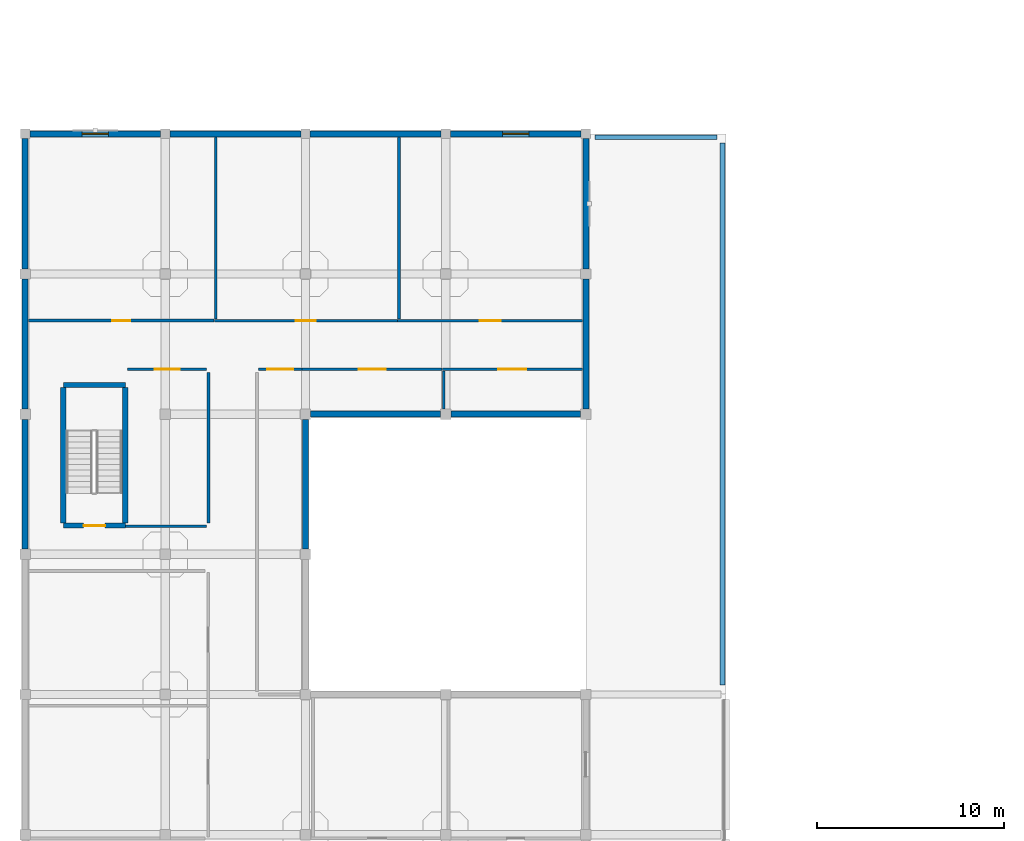
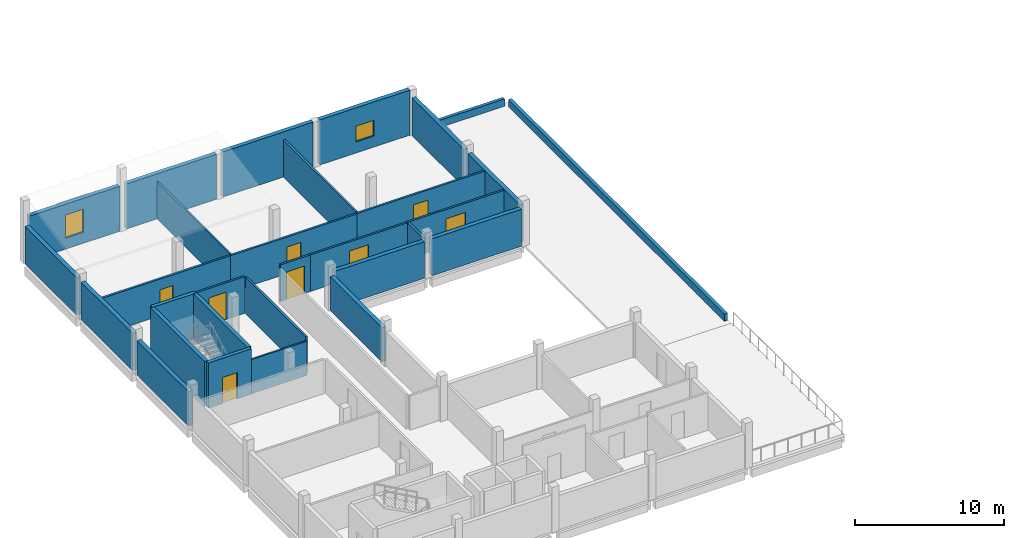
# One storey, part 5 of 14: 30 walls, 8 doors, 2 windows, 10 openings.
"""IFC4 building model written with IfcOpenShell, lengths in metres."""

from ifc_helpers import new_model, si_unit, direction, frame, frame_2d, origin, place, context, subcontext, project, spatial, rectangle, extrude, material, layer, layer_set, type_object, element, fill, save


model = new_model("IFC4")

# Units and contexts
model_context = context("Model", 3, precision=1e-05, world=origin(), true_north=direction((0.0, 1.0)))
body_context = subcontext(model_context, "Body", "Model", "MODEL_VIEW")
ifc_project = project(units=[si_unit("LENGTHUNIT", "METRE"), si_unit("AREAUNIT", "SQUARE_METRE"), si_unit("VOLUMEUNIT", "CUBIC_METRE"), si_unit("PLANEANGLEUNIT", "RADIAN"), si_unit("MASSUNIT", "GRAM", prefix="KILO")], contexts=[model_context])

# Site, building, storey
site_placement = place(None, origin())
site = spatial("IfcSite", under=ifc_project, at=site_placement, CompositionType="ELEMENT")
building_placement = place(site_placement, origin())
building = spatial("IfcBuilding", under=site, at=building_placement, Name="Mawjan Specialist Oncology Clinic", CompositionType="ELEMENT")
storey_placement = place(building_placement, frame((0.0, 0.0, 17.5)))
storey = spatial("IfcBuildingStorey", under=building, at=storey_placement, Name="L04", CompositionType="ELEMENT", Elevation=17.5)

# Walls
ifc_material_1 = material(Name="Precast concrete C40/50", Category="concrete")
ifc_layer_1 = layer(ifc_material_1, 0.320068359375, Name="Precast concrete C40/50", Category="concrete")
ifc_layer_set_1 = layer_set([ifc_layer_1], Name="Precast concrete C40/50")
wall_type_1 = type_object("IfcWallType", Name="EW-320", PredefinedType="SOLIDWALL", material=ifc_layer_set_1)
wall_1_placement = place(storey_placement, frame((30.0, 45.550048828125, 0.0), z_axis=(0.0, 0.0, 1.0), x_axis=(0.0, -1.0, 0.0)))
element("IfcWall", 1, at=wall_1_placement, inside=storey, type_object=wall_type_1, Name="L04 Coral-Limestone Exterior Wall EW-L04-340", PredefinedType="SOLIDWALL", context=body_context, shape_type="SweptSolid", body=[
    extrude(rectangle(XDim=6.97509765625, YDim=0.320068359375, at=frame_2d((3.487548828125, 0.0))), origin(), (0.0, 0.0, 1.0), 3.0849609375),
])
wall_2_placement = place(storey_placement, frame((30.0, 38.02490234375, 0.0), z_axis=(0.0, 0.0, 1.0), x_axis=(0.0, -1.0, 0.0)))
element("IfcWall", 2, at=wall_2_placement, inside=storey, type_object=wall_type_1, Name="L04 Coral-Limestone Exterior Wall EW-L04-341", PredefinedType="SOLIDWALL", context=body_context, shape_type="SweptSolid", body=[
    extrude(rectangle(XDim=6.949951171875, YDim=0.320068359375, at=frame_2d((3.47509765625, 0.0))), origin(), (0.0, 0.0, 1.0), 3.0849609375),
])
wall_3_placement = place(storey_placement, frame((29.72509765625, 30.800048828125, 0.0), z_axis=(0.0, 0.0, 1.0), x_axis=(-1.0, 0.0, 0.0)))
element("IfcWall", 3, at=wall_3_placement, inside=storey, type_object=wall_type_1, Name="L04 Coral-Limestone Exterior Wall EW-L04-342", PredefinedType="SOLIDWALL", context=body_context, shape_type="SweptSolid", body=[
    extrude(rectangle(XDim=6.9501953125, YDim=0.320068359375, at=frame_2d((3.47509765625, 0.0))), origin(), (0.0, 0.0, 1.0), 3.034912109375),
])
wall_4_placement = place(storey_placement, frame((22.22509765625, 30.800048828125, 0.0), z_axis=(0.0, 0.0, 1.0), x_axis=(-1.0, 0.0, 0.0)))
element("IfcWall", 4, at=wall_4_placement, inside=storey, type_object=wall_type_1, Name="L04 Coral-Limestone Exterior Wall EW-L04-343", PredefinedType="SOLIDWALL", context=body_context, shape_type="SweptSolid", body=[
    extrude(rectangle(XDim=6.9501953125, YDim=0.320068359375, at=frame_2d((3.47509765625, 0.0))), origin(), (0.0, 0.0, 1.0), 3.0048828125),
])
for number, where, z_axis, x_axis, name in (
    (5, (15.0, 30.52490234375, 0.0), (0.0, 0.0, 1.0), (0.0, -1.0, 0.0), "L04 Coral-Limestone Exterior Wall EW-L04-344"),
    (6, (0.0, 23.574951171875, 0.0), (0.0, 0.0, 1.0), (0.0, 1.0, 0.0), "L04 Coral-Limestone Exterior Wall EW-L04-357"),
):
    element("IfcWall", number, at=place(storey_placement, frame(where, z_axis=z_axis, x_axis=x_axis)), inside=storey, type_object=wall_type_1, Name=name, PredefinedType="SOLIDWALL", context=body_context, shape_type="SweptSolid", body=[
        extrude(rectangle(XDim=6.949951171875, YDim=0.320068359375, at=frame_2d((3.47509765625, 0.0))), origin(), (0.0, 0.0, 1.0), 2.804931640625),
    ])
wall_5_placement = place(storey_placement, frame((0.0, 31.074951171875, 0.0), z_axis=(0.0, 0.0, 1.0), x_axis=(0.0, 1.0, 0.0)))
element("IfcWall", 7, at=wall_5_placement, inside=storey, type_object=wall_type_1, Name="L04 Coral-Limestone Exterior Wall EW-L04-358", PredefinedType="SOLIDWALL", context=body_context, shape_type="SweptSolid", body=[
    extrude(rectangle(XDim=6.949951171875, YDim=0.320068359375, at=frame_2d((3.47509765625, 0.0))), origin(), (0.0, 0.0, 1.0), 3.054931640625),
])
wall_6_placement = place(storey_placement, frame((0.0, 38.574951171875, 0.0), z_axis=(0.0, 0.0, 1.0), x_axis=(0.0, 1.0, 0.0)))
element("IfcWall", 8, at=wall_6_placement, inside=storey, type_object=wall_type_1, Name="L04 Coral-Limestone Exterior Wall EW-L04-359", PredefinedType="SOLIDWALL", context=body_context, shape_type="SweptSolid", body=[
    extrude(rectangle(XDim=6.97509765625, YDim=0.320068359375, at=frame_2d((3.487548828125, 0.0))), origin(), (0.0, 0.0, 1.0), 3.054931640625),
])

# Wall, opening, window
wall_7_placement = place(storey_placement, frame((0.25, 45.800048828125, 0.0), z_axis=(0.0, 0.0, 1.0), x_axis=(1.0, 0.0, 0.0)))
wall_7 = element("IfcWall", 9, at=wall_7_placement, inside=storey, type_object=wall_type_1, Name="L04 Coral-Limestone Exterior Wall EW-L04-360", PredefinedType="SOLIDWALL", context=body_context, shape_type="SweptSolid", body=[
    extrude(rectangle(XDim=7.0, YDim=0.320068359375, at=frame_2d((3.5, 0.0))), origin(), (0.0, 0.0, 1.0), 3.68994140625),
])
opening_1_placement = place(wall_7_placement, frame((2.800048828125, 0.0, 0.89990234375)))
opening_1 = element("IfcOpeningElement", 10, at=opening_1_placement, cuts=wall_7, Name="Opening WN-16", PredefinedType="OPENING", context=body_context, shape_type="SweptSolid", body=[
    extrude(rectangle(XDim=1.39990234375, YDim=1.89990234375, at=frame_2d((0.699951171875, 0.949951171875))), frame((0.0, 0.172119140625, 0.0), z_axis=(0.0, -1.0, 0.0), x_axis=(1.0, 0.0, 0.0)), (0.0, 0.0, 1.0), 0.343994140625),
])
ifc_material_2 = material(Name="Thermally broken low-E clinical aluminium window", Category="aluminium")
window_type_1 = type_object("IfcWindowType", Name="WN-16", PartitioningType="SINGLE_PANEL", PredefinedType="WINDOW", material=ifc_material_2)
window_1_placement = place(opening_1_placement, origin())
window_1 = element("IfcWindow", 11, at=window_1_placement, inside=storey, type_object=window_type_1, Name="L04 Clinical Low-E Window 076", OverallHeight=1.89990234375, OverallWidth=1.39990234375, PartitioningType="SINGLE_PANEL", PredefinedType="WINDOW", context=body_context, shape_type="SweptSolid", body=[
    extrude(rectangle(XDim=1.39990234375, YDim=1.89990234375, at=frame_2d((0.699951171875, 0.949951171875))), frame((0.0, 0.030029296875, 0.0), z_axis=(0.0, -1.0, 0.0), x_axis=(1.0, 0.0, 0.0)), (0.0, 0.0, 1.0), 0.06005859375),
])
fill(opening_1, window_1)

# Walls
wall_8_placement = place(storey_placement, frame((7.75, 45.800048828125, 0.0), z_axis=(0.0, 0.0, 1.0), x_axis=(1.0, 0.0, 0.0)))
element("IfcWall", 12, at=wall_8_placement, inside=storey, type_object=wall_type_1, Name="L04 Coral-Limestone Exterior Wall EW-L04-361", PredefinedType="SOLIDWALL", context=body_context, shape_type="SweptSolid", body=[
    extrude(rectangle(XDim=7.0, YDim=0.320068359375, at=frame_2d((3.5, 0.0))), origin(), (0.0, 0.0, 1.0), 3.68994140625),
])
wall_9_placement = place(storey_placement, frame((15.25, 45.800048828125, 0.0), z_axis=(0.0, 0.0, 1.0), x_axis=(1.0, 0.0, 0.0)))
element("IfcWall", 13, at=wall_9_placement, inside=storey, type_object=wall_type_1, Name="L04 Coral-Limestone Exterior Wall EW-L04-362", PredefinedType="SOLIDWALL", context=body_context, shape_type="SweptSolid", body=[
    extrude(rectangle(XDim=7.0, YDim=0.320068359375, at=frame_2d((3.5, 0.0))), origin(), (0.0, 0.0, 1.0), 3.699951171875),
])

# Wall, opening, window
wall_10_placement = place(storey_placement, frame((22.75, 45.800048828125, 0.0), z_axis=(0.0, 0.0, 1.0), x_axis=(1.0, 0.0, 0.0)))
wall_10 = element("IfcWall", 14, at=wall_10_placement, inside=storey, type_object=wall_type_1, Name="L04 Coral-Limestone Exterior Wall EW-L04-363", PredefinedType="SOLIDWALL", context=body_context, shape_type="SweptSolid", body=[
    extrude(rectangle(XDim=7.0, YDim=0.320068359375, at=frame_2d((3.5, 0.0))), origin(), (0.0, 0.0, 1.0), 3.699951171875),
])
opening_2_placement = place(wall_10_placement, frame((2.800048828125, 0.0, 0.89990234375)))
opening_2 = element("IfcOpeningElement", 15, at=opening_2_placement, cuts=wall_10, Name="Opening WN-13", PredefinedType="OPENING", context=body_context, shape_type="SweptSolid", body=[
    extrude(rectangle(XDim=1.39990234375, YDim=1.300048828125, at=frame_2d((0.699951171875, 0.64990234375))), frame((0.0, 0.172119140625, 0.0), z_axis=(0.0, -1.0, 0.0), x_axis=(1.0, 0.0, 0.0)), (0.0, 0.0, 1.0), 0.343994140625),
])
ifc_material_3 = material(Name="Thermally broken low-E clinical aluminium window", Category="aluminium")
window_type_2 = type_object("IfcWindowType", Name="WN-13", PartitioningType="SINGLE_PANEL", PredefinedType="WINDOW", material=ifc_material_3)
window_2_placement = place(opening_2_placement, origin())
window_2 = element("IfcWindow", 16, at=window_2_placement, inside=storey, type_object=window_type_2, Name="L04 Clinical Low-E Window 077", OverallHeight=1.300048828125, OverallWidth=1.39990234375, PartitioningType="SINGLE_PANEL", PredefinedType="WINDOW", context=body_context, shape_type="SweptSolid", body=[
    extrude(rectangle(XDim=1.39990234375, YDim=1.300048828125, at=frame_2d((0.699951171875, 0.64990234375))), frame((0.0, 0.030029296875, 0.0), z_axis=(0.0, -1.0, 0.0), x_axis=(1.0, 0.0, 0.0)), (0.0, 0.0, 1.0), 0.06005859375),
])
fill(opening_2, window_2)

# Walls
ifc_material_4 = material(Name="Precast concrete C40/50", Category="concrete")
ifc_layer_2 = layer(ifc_material_4, 0.239990234375, Name="Precast concrete C40/50", Category="concrete")
ifc_layer_set_2 = layer_set([ifc_layer_2], Name="Precast concrete C40/50")
wall_type_2 = type_object("IfcWallType", Name="PAR-240", PredefinedType="PARAPET", material=ifc_layer_set_2)
wall_11_placement = place(storey_placement, frame((30.5, 45.6201171875, -0.080078125), z_axis=(0.0, 0.0, 1.0), x_axis=(1.0, 0.0, 0.0)))
element("IfcWall", 17, at=wall_11_placement, inside=storey, type_object=wall_type_2, Name="L04 Roof Parapet Upstand 24", PredefinedType="PARAPET", context=body_context, shape_type="SweptSolid", body=[
    extrude(rectangle(XDim=6.52001953125, YDim=0.239990234375, at=frame_2d((3.260009765625, 0.0))), origin(), (0.0, 0.0, 1.0), 0.60009765625),
])
ifc_material_5 = material(Name="Precast concrete C40/50", Category="concrete")
ifc_layer_3 = layer(ifc_material_5, 0.260009765625, Name="Precast concrete C40/50", Category="concrete")
ifc_layer_set_3 = layer_set([ifc_layer_3], Name="Precast concrete C40/50")
wall_type_3 = type_object("IfcWallType", Name="PAR-260", PredefinedType="PARAPET", material=ifc_layer_set_3)
wall_12_placement = place(storey_placement, frame((37.320068359375, 45.320068359375, -0.080078125), z_axis=(0.0, 0.0, 1.0), x_axis=(0.0, -1.0, 0.0)))
element("IfcWall", 18, at=wall_12_placement, inside=storey, type_object=wall_type_3, Name="L04 Roof Parapet Upstand 25", PredefinedType="PARAPET", context=body_context, shape_type="SweptSolid", body=[
    extrude(rectangle(XDim=29.02001953125, YDim=0.260009765625, at=frame_2d((14.510009765625, 0.0))), origin(), (0.0, 0.0, 1.0), 0.60009765625),
])
ifc_material_6 = material(Name="Concrete C45/55", Category="concrete")
ifc_layer_4 = layer(ifc_material_6, 0.280029296875, Name="Concrete C45/55", Category="concrete")
ifc_layer_set_4 = layer_set([ifc_layer_4], Name="Concrete C45/55")
wall_type_4 = type_object("IfcWallType", Name="SW-300", PredefinedType="SHEAR", material=ifc_layer_set_4)
wall_13_placement = place(storey_placement, frame((5.360107421875, 24.985107421875, 0.0), z_axis=(0.0, 0.0, 1.0), x_axis=(0.0, 1.0, 0.0)))
element("IfcWall", 19, at=wall_13_placement, inside=storey, type_object=wall_type_4, Name="L04 Core K2 Stair Shear Wall 1", PredefinedType="SHEAR", context=body_context, shape_type="SweptSolid", body=[
    extrude(rectangle(XDim=7.22998046875, YDim=0.280029296875, at=frame_2d((3.614990234375, 0.0))), origin(), (0.0, 0.0, 1.0), 3.719970703125),
])
wall_14_placement = place(storey_placement, frame((5.360107421875, 32.360107421875, 0.0), z_axis=(0.0, 0.0, 1.0), x_axis=(-1.0, 0.0, 0.0)))
element("IfcWall", 20, at=wall_14_placement, inside=storey, type_object=wall_type_4, Name="L04 Core K2 Stair Shear Wall 2", PredefinedType="SHEAR", context=body_context, shape_type="SweptSolid", body=[
    extrude(rectangle(XDim=3.320068359375, YDim=0.280029296875, at=frame_2d((1.66015625, 0.0))), origin(), (0.0, 0.0, 1.0), 3.719970703125),
])
wall_15_placement = place(storey_placement, frame((2.0400390625, 32.215087890625, 0.0), z_axis=(0.0, 0.0, 1.0), x_axis=(0.0, -1.0, 0.0)))
element("IfcWall", 21, at=wall_15_placement, inside=storey, type_object=wall_type_4, Name="L04 Core K2 Stair Shear Wall 3", PredefinedType="SHEAR", context=body_context, shape_type="SweptSolid", body=[
    extrude(rectangle(XDim=7.22998046875, YDim=0.280029296875, at=frame_2d((3.614990234375, 0.0))), origin(), (0.0, 0.0, 1.0), 3.719970703125),
])

# Wall, opening, door
wall_16_placement = place(storey_placement, frame((2.0400390625, 24.840087890625, 0.0), z_axis=(0.0, 0.0, 1.0), x_axis=(1.0, 0.0, 0.0)))
wall_16 = element("IfcWall", 22, at=wall_16_placement, inside=storey, type_object=wall_type_4, Name="L04 Core K2 Stair Shear Wall 4", PredefinedType="SHEAR", context=body_context, shape_type="SweptSolid", body=[
    extrude(rectangle(XDim=3.320068359375, YDim=0.280029296875, at=frame_2d((1.66015625, 0.0))), origin(), (0.0, 0.0, 1.0), 3.719970703125),
])
opening_3_placement = place(wall_16_placement, frame((1.0849609375, 0.0, 0.0)))
opening_3 = element("IfcOpeningElement", 23, at=opening_3_placement, cuts=wall_16, Name="Opening FD-90", PredefinedType="OPENING", context=body_context, shape_type="SweptSolid", body=[
    extrude(rectangle(XDim=1.14990234375, YDim=2.14990234375, at=frame_2d((0.574951171875, 1.074951171875))), frame((0.0, 0.152099609375, 0.0), z_axis=(0.0, -1.0, 0.0), x_axis=(1.0, 0.0, 0.0)), (0.0, 0.0, 1.0), 0.303955078125),
])
ifc_material_7 = material(Name="Stainless-steel fire-rated hospital door", Category="steel")
door_type_1 = type_object("IfcDoorType", Name="FD-90", OperationType="NOTDEFINED", PredefinedType="DOOR", material=ifc_material_7)
door_1_placement = place(opening_3_placement, origin())
door_1 = element("IfcDoor", 24, at=door_1_placement, inside=storey, type_object=door_type_1, Name="L04 ST-02 Fire Exit Stair Door", OperationType="SINGLE_SWING_LEFT", OverallHeight=2.14990234375, OverallWidth=1.14990234375, PredefinedType="DOOR", context=body_context, shape_type="SweptSolid", body=[
    extrude(rectangle(XDim=1.14990234375, YDim=2.14990234375, at=frame_2d((0.574951171875, 1.074951171875))), frame((0.0, 0.02490234375, 0.0), z_axis=(0.0, -1.0, 0.0), x_axis=(1.0, 0.0, 0.0)), (0.0, 0.0, 1.0), 0.050048828125),
])
fill(opening_3, door_1)

# Walls
ifc_material_8 = material(Name="Moisture-resistant washroom partition", Category="gypsum")
ifc_layer_5 = layer(ifc_material_8, 0.125, Name="Moisture-resistant washroom partition", Category="gypsum")
ifc_layer_set_5 = layer_set([ifc_layer_5], Name="Moisture-resistant washroom partition")
wall_type_5 = type_object("IfcWallType", Name="WP-125", PredefinedType="PARTITIONING", material=ifc_layer_set_5)
wall_17_placement = place(storey_placement, frame((5.3720703125, 24.800048828125, 0.0), z_axis=(0.0, 0.0, 1.0), x_axis=(1.0, 0.0, 0.0)))
element("IfcWall", 25, at=wall_17_placement, inside=storey, type_object=wall_type_5, Name="L04 Interior Partition W-INT-L04-0433-R", PredefinedType="PARTITIONING", context=body_context, shape_type="SweptSolid", body=[
    extrude(rectangle(XDim=4.343017578125, YDim=0.125, at=frame_2d((2.17138671875, 0.0))), origin(), (0.0, 0.0, 1.0), 2.804931640625),
])
wall_18_placement = place(storey_placement, frame((10.199951171875, 35.886962890625, 0.0), z_axis=(0.0, 0.0, 1.0), x_axis=(0.0, 1.0, 0.0)))
element("IfcWall", 26, at=wall_18_placement, inside=storey, type_object=wall_type_5, Name="L04 Interior Partition W-INT-L04-404-D", PredefinedType="PARTITIONING", context=body_context, shape_type="SweptSolid", body=[
    extrude(rectangle(XDim=9.740966796875, YDim=0.125, at=frame_2d((4.87060546875, 0.0))), origin(), (0.0, 0.0, 1.0), 3.054931640625),
])

# Wall, opening, door
ifc_material_9 = material(Name="Acoustic gypsum clinical partition", Category="gypsum")
ifc_layer_6 = layer(ifc_material_9, 0.14990234375, Name="Acoustic gypsum clinical partition", Category="gypsum")
ifc_layer_set_6 = layer_set([ifc_layer_6], Name="Acoustic gypsum clinical partition")
wall_type_6 = type_object("IfcWallType", Name="WP-150", PredefinedType="PARTITIONING", material=ifc_layer_set_6)
wall_19_placement = place(storey_placement, frame((10.126953125, 35.800048828125, 0.0), z_axis=(0.0, 0.0, 1.0), x_axis=(1.0, 0.0, 0.0)))
wall_19 = element("IfcWall", 27, at=wall_19_placement, inside=storey, type_object=wall_type_6, Name="L04 Interior Partition W-INT-L04-405-C", PredefinedType="PARTITIONING", context=body_context, shape_type="SweptSolid", body=[
    extrude(rectangle(XDim=9.7880859375, YDim=0.14990234375, at=frame_2d((4.89404296875, 0.0))), origin(), (0.0, 0.0, 1.0), 3.0048828125),
])
opening_4_placement = place(wall_19_placement, frame((4.35400390625, 0.0, 0.0)))
opening_4 = element("IfcOpeningElement", 28, at=opening_4_placement, cuts=wall_19, Name="Opening DI-108", PredefinedType="OPENING", context=body_context, shape_type="SweptSolid", body=[
    extrude(rectangle(XDim=1.080078125, YDim=2.179931640625, at=frame_2d((0.5400390625, 1.08984375))), frame((0.0, 0.0869140625, 0.0), z_axis=(0.0, -1.0, 0.0), x_axis=(1.0, 0.0, 0.0)), (0.0, 0.0, 1.0), 0.173828125),
])
ifc_material_10 = material(Name="Acoustic laminate hospital door leaf", Category="wood")
door_type_2 = type_object("IfcDoorType", Name="DI-108", OperationType="NOTDEFINED", PredefinedType="DOOR", material=ifc_material_10)
door_2_placement = place(opening_4_placement, origin())
door_2 = element("IfcDoor", 29, at=door_2_placement, inside=storey, type_object=door_type_2, Name="L04 Care Coordination Suite Door", OperationType="SINGLE_SWING_RIGHT", OverallHeight=2.179931640625, OverallWidth=1.080078125, PredefinedType="DOOR", context=body_context, shape_type="SweptSolid", body=[
    extrude(rectangle(XDim=1.080078125, YDim=2.179931640625, at=frame_2d((0.5400390625, 1.08984375))), frame((0.0, 0.02490234375, 0.0), z_axis=(0.0, -1.0, 0.0), x_axis=(1.0, 0.0, 0.0)), (0.0, 0.0, 1.0), 0.050048828125),
])
fill(opening_4, door_2)

wall_20_placement = place(storey_placement, frame((19.927001953125, 35.800048828125, 0.0), z_axis=(0.0, 0.0, 1.0), x_axis=(1.0, 0.0, 0.0)))
wall_20 = element("IfcWall", 30, at=wall_20_placement, inside=storey, type_object=wall_type_6, Name="L04 Interior Partition W-INT-L04-406-C", PredefinedType="PARTITIONING", context=body_context, shape_type="SweptSolid", body=[
    extrude(rectangle(XDim=9.90087890625, YDim=0.14990234375, at=frame_2d((4.950439453125, 0.0))), origin(), (0.0, 0.0, 1.0), 3.034912109375),
])
opening_5_placement = place(wall_20_placement, frame((4.390380859375, 0.0, 0.0)))
opening_5 = element("IfcOpeningElement", 31, at=opening_5_placement, cuts=wall_20, Name="Opening DI-112", PredefinedType="OPENING", context=body_context, shape_type="SweptSolid", body=[
    extrude(rectangle(XDim=1.1201171875, YDim=2.199951171875, at=frame_2d((0.56005859375, 1.10009765625))), frame((0.0, 0.0869140625, 0.0), z_axis=(0.0, -1.0, 0.0), x_axis=(1.0, 0.0, 0.0)), (0.0, 0.0, 1.0), 0.173828125),
])
ifc_material_11 = material(Name="Acoustic laminate hospital door leaf", Category="wood")
door_type_3 = type_object("IfcDoorType", Name="DI-112", OperationType="NOTDEFINED", PredefinedType="DOOR", material=ifc_material_11)
door_3_placement = place(opening_5_placement, origin())
door_3 = element("IfcDoor", 32, at=door_3_placement, inside=storey, type_object=door_type_3, Name="L04 Quiet Reflection Room Door", OperationType="SINGLE_SWING_LEFT", OverallHeight=2.199951171875, OverallWidth=1.1201171875, PredefinedType="DOOR", context=body_context, shape_type="SweptSolid", body=[
    extrude(rectangle(XDim=1.1201171875, YDim=2.199951171875, at=frame_2d((0.56005859375, 1.10009765625))), frame((0.0, 0.02490234375, 0.0), z_axis=(0.0, -1.0, 0.0), x_axis=(1.0, 0.0, 0.0)), (0.0, 0.0, 1.0), 0.050048828125),
])
fill(opening_5, door_3)

wall_21_placement = place(storey_placement, frame((5.485107421875, 33.199951171875, 0.0), z_axis=(0.0, 0.0, 1.0), x_axis=(1.0, 0.0, 0.0)))
wall_21 = element("IfcWall", 33, at=wall_21_placement, inside=storey, type_object=wall_type_6, Name="L04 Interior Partition W-INT-L04-0433-C", PredefinedType="PARTITIONING", context=body_context, shape_type="SweptSolid", body=[
    extrude(rectangle(XDim=4.22998046875, YDim=0.14990234375, at=frame_2d((2.114990234375, 0.0))), origin(), (0.0, 0.0, 1.0), 3.0048828125),
])
opening_6_placement = place(wall_21_placement, frame((1.445068359375, 0.0, 0.0)))
opening_6 = element("IfcOpeningElement", 34, at=opening_6_placement, cuts=wall_21, Name="Opening DC-134", PredefinedType="OPENING", context=body_context, shape_type="SweptSolid", body=[
    extrude(rectangle(XDim=1.340087890625, YDim=2.239990234375, at=frame_2d((0.669921875, 1.1201171875))), frame((0.0, 0.0869140625, 0.0), z_axis=(0.0, -1.0, 0.0), x_axis=(1.0, 0.0, 0.0)), (0.0, 0.0, 1.0), 0.173828125),
])
ifc_material_12 = material(Name="Acoustic laminate hospital door leaf", Category="wood")
door_type_4 = type_object("IfcDoorType", Name="DC-134", OperationType="NOTDEFINED", PredefinedType="DOOR", material=ifc_material_12)
door_4_placement = place(opening_6_placement, origin())
door_4 = element("IfcDoor", 35, at=door_4_placement, inside=storey, type_object=door_type_4, Name="L04 Clinical Dietetics Consultation Room Door", OperationType="SINGLE_SWING_LEFT", OverallHeight=2.239990234375, OverallWidth=1.340087890625, PredefinedType="DOOR", context=body_context, shape_type="SweptSolid", body=[
    extrude(rectangle(XDim=1.340087890625, YDim=2.239990234375, at=frame_2d((0.669921875, 1.1201171875))), frame((0.0, 0.02490234375, 0.0), z_axis=(0.0, -1.0, 0.0), x_axis=(1.0, 0.0, 0.0)), (0.0, 0.0, 1.0), 0.050048828125),
])
fill(opening_6, door_4)

wall_22_placement = place(storey_placement, frame((12.485107421875, 33.199951171875, 0.0), z_axis=(0.0, 0.0, 1.0), x_axis=(1.0, 0.0, 0.0)))
wall_22 = element("IfcWall", 36, at=wall_22_placement, inside=storey, type_object=wall_type_6, Name="L04 Interior Partition W-INT-L04-0441-C", PredefinedType="PARTITIONING", context=body_context, shape_type="SweptSolid", body=[
    extrude(rectangle(XDim=2.329833984375, YDim=0.14990234375, at=frame_2d((1.1650390625, 0.0))), origin(), (0.0, 0.0, 1.0), 3.0048828125),
])
opening_7_placement = place(wall_22_placement, frame((0.465087890625, 0.0, 0.0)))
opening_7 = element("IfcOpeningElement", 37, at=opening_7_placement, cuts=wall_22, Name="Opening DC-140", PredefinedType="OPENING", context=body_context, shape_type="SweptSolid", body=[
    extrude(rectangle(XDim=1.39990234375, YDim=2.25, at=frame_2d((0.699951171875, 1.125))), frame((0.0, 0.0869140625, 0.0), z_axis=(0.0, -1.0, 0.0), x_axis=(1.0, 0.0, 0.0)), (0.0, 0.0, 1.0), 0.173828125),
])
ifc_material_13 = material(Name="Acoustic laminate hospital door leaf", Category="wood")
door_type_5 = type_object("IfcDoorType", Name="DC-140", OperationType="NOTDEFINED", PredefinedType="DOOR", material=ifc_material_13)
door_5_placement = place(opening_7_placement, origin())
door_5 = element("IfcDoor", 38, at=door_5_placement, inside=storey, type_object=door_type_5, Name="L04 Clinical Case Conference Room Door", OperationType="SINGLE_SWING_LEFT", OverallHeight=2.25, OverallWidth=1.39990234375, PredefinedType="DOOR", context=body_context, shape_type="SweptSolid", body=[
    extrude(rectangle(XDim=1.39990234375, YDim=2.25, at=frame_2d((0.699951171875, 1.125))), frame((0.0, 0.02490234375, 0.0), z_axis=(0.0, -1.0, 0.0), x_axis=(1.0, 0.0, 0.0)), (0.0, 0.0, 1.0), 0.050048828125),
])
fill(opening_7, door_5)

wall_23_placement = place(storey_placement, frame((14.826904296875, 33.199951171875, 0.0), z_axis=(0.0, 0.0, 1.0), x_axis=(1.0, 0.0, 0.0)))
wall_23 = element("IfcWall", 39, at=wall_23_placement, inside=storey, type_object=wall_type_6, Name="L04 Interior Partition W-INT-L04-0442-C", PredefinedType="PARTITIONING", context=body_context, shape_type="SweptSolid", body=[
    extrude(rectangle(XDim=7.488037109375, YDim=0.14990234375, at=frame_2d((3.744140625, 0.0))), origin(), (0.0, 0.0, 1.0), 3.0048828125),
])
opening_8_placement = place(wall_23_placement, frame((3.01904296875, 0.0, 0.0)))
opening_8 = element("IfcOpeningElement", 40, at=opening_8_placement, cuts=wall_23, Name="Opening DC-145", PredefinedType="OPENING", context=body_context, shape_type="SweptSolid", body=[
    extrude(rectangle(XDim=1.449951171875, YDim=2.260009765625, at=frame_2d((0.72509765625, 1.1298828125))), frame((0.0, 0.0869140625, 0.0), z_axis=(0.0, -1.0, 0.0), x_axis=(1.0, 0.0, 0.0)), (0.0, 0.0, 1.0), 0.173828125),
])
ifc_material_14 = material(Name="Acoustic laminate hospital door leaf", Category="wood")
door_type_6 = type_object("IfcDoorType", Name="DC-145", OperationType="NOTDEFINED", PredefinedType="DOOR", material=ifc_material_14)
door_6_placement = place(opening_8_placement, origin())
door_6 = element("IfcDoor", 41, at=door_6_placement, inside=storey, type_object=door_type_6, Name="L04 Oncology Biomarker Counseling Suite Door", OperationType="SINGLE_SWING_LEFT", OverallHeight=2.260009765625, OverallWidth=1.449951171875, PredefinedType="DOOR", context=body_context, shape_type="SweptSolid", body=[
    extrude(rectangle(XDim=1.449951171875, YDim=2.260009765625, at=frame_2d((0.72509765625, 1.1298828125))), frame((0.0, 0.02490234375, 0.0), z_axis=(0.0, -1.0, 0.0), x_axis=(1.0, 0.0, 0.0)), (0.0, 0.0, 1.0), 0.050048828125),
])
fill(opening_8, door_6)

wall_24_placement = place(storey_placement, frame((22.326904296875, 33.199951171875, 0.0), z_axis=(0.0, 0.0, 1.0), x_axis=(1.0, 0.0, 0.0)))
wall_24 = element("IfcWall", 42, at=wall_24_placement, inside=storey, type_object=wall_type_6, Name="L04 Interior Partition W-INT-L04-0443-C", PredefinedType="PARTITIONING", context=body_context, shape_type="SweptSolid", body=[
    extrude(rectangle(XDim=7.5009765625, YDim=0.14990234375, at=frame_2d((3.75048828125, 0.0))), origin(), (0.0, 0.0, 1.0), 3.034912109375),
])
opening_9_placement = place(wall_24_placement, frame((3.00048828125, 0.0, 0.0)))
opening_9 = element("IfcOpeningElement", 43, at=opening_9_placement, cuts=wall_24, Name="Opening DC-150", PredefinedType="OPENING", context=body_context, shape_type="SweptSolid", body=[
    extrude(rectangle(XDim=1.5, YDim=2.280029296875, at=frame_2d((0.75, 1.14013671875))), frame((0.0, 0.0869140625, 0.0), z_axis=(0.0, -1.0, 0.0), x_axis=(1.0, 0.0, 0.0)), (0.0, 0.0, 1.0), 0.173828125),
])
ifc_material_15 = material(Name="Acoustic laminate hospital door leaf", Category="wood")
door_type_7 = type_object("IfcDoorType", Name="DC-150", OperationType="NOTDEFINED", PredefinedType="DOOR", material=ifc_material_15)
door_7_placement = place(opening_9_placement, origin())
door_7 = element("IfcDoor", 44, at=door_7_placement, inside=storey, type_object=door_type_7, Name="L04 Patient Education Room Door", OperationType="SINGLE_SWING_RIGHT", OverallHeight=2.280029296875, OverallWidth=1.5, PredefinedType="DOOR", context=body_context, shape_type="SweptSolid", body=[
    extrude(rectangle(XDim=1.5, YDim=2.280029296875, at=frame_2d((0.75, 1.14013671875))), frame((0.0, 0.02490234375, 0.0), z_axis=(0.0, -1.0, 0.0), x_axis=(1.0, 0.0, 0.0)), (0.0, 0.0, 1.0), 0.050048828125),
])
fill(opening_9, door_7)

ifc_material_16 = material(Name="Acoustic clinical twin-stud partition", Category="gypsum")
ifc_layer_7 = layer(ifc_material_16, 0.159912109375, Name="Acoustic clinical twin-stud partition", Category="gypsum")
ifc_layer_set_7 = layer_set([ifc_layer_7], Name="Acoustic clinical twin-stud partition")
wall_type_7 = type_object("IfcWallType", Name="WP-160", PredefinedType="PARTITIONING", material=ifc_layer_set_7)
wall_25_placement = place(storey_placement, frame((0.172119140625, 35.800048828125, 0.0), z_axis=(0.0, 0.0, 1.0), x_axis=(1.0, 0.0, 0.0)))
wall_25 = element("IfcWall", 45, at=wall_25_placement, inside=storey, type_object=wall_type_7, Name="L04 Interior Partition W-INT-L04-404-C", PredefinedType="PARTITIONING", context=body_context, shape_type="SweptSolid", body=[
    extrude(rectangle(XDim=9.94287109375, YDim=0.159912109375, at=frame_2d((4.971435546875, 0.0))), origin(), (0.0, 0.0, 1.0), 3.0048828125),
])
opening_10_placement = place(wall_25_placement, frame((4.4814453125, 0.0, 0.0)))
opening_10 = element("IfcOpeningElement", 46, at=opening_10_placement, cuts=wall_25, Name="Opening DI-98", PredefinedType="OPENING", context=body_context, shape_type="SweptSolid", body=[
    extrude(rectangle(XDim=0.97998046875, YDim=2.1201171875, at=frame_2d((0.489990234375, 1.06005859375))), frame((0.0, 0.092041015625, 0.0), z_axis=(0.0, -1.0, 0.0), x_axis=(1.0, 0.0, 0.0)), (0.0, 0.0, 1.0), 0.183837890625),
])
ifc_material_17 = material(Name="Acoustic laminate hospital door leaf", Category="wood")
door_type_8 = type_object("IfcDoorType", Name="DI-98", OperationType="NOTDEFINED", PredefinedType="DOOR", material=ifc_material_17)
door_8_placement = place(opening_10_placement, origin())
door_8 = element("IfcDoor", 47, at=door_8_placement, inside=storey, type_object=door_type_8, Name="L04 Endocrine Oncology Consulting Room Door", OperationType="SINGLE_SWING_LEFT", OverallHeight=2.1201171875, OverallWidth=0.97998046875, PredefinedType="DOOR", context=body_context, shape_type="SweptSolid", body=[
    extrude(rectangle(XDim=0.97998046875, YDim=2.1201171875, at=frame_2d((0.489990234375, 1.06005859375))), frame((0.0, 0.02490234375, 0.0), z_axis=(0.0, -1.0, 0.0), x_axis=(1.0, 0.0, 0.0)), (0.0, 0.0, 1.0), 0.050048828125),
])
fill(opening_10, door_8)

# Walls
wall_26_placement = place(storey_placement, frame((20.0, 35.886962890625, 0.0), z_axis=(0.0, 0.0, 1.0), x_axis=(0.0, 1.0, 0.0)))
element("IfcWall", 48, at=wall_26_placement, inside=storey, type_object=wall_type_7, Name="L04 Interior Partition W-INT-L04-405-D", PredefinedType="PARTITIONING", context=body_context, shape_type="SweptSolid", body=[
    extrude(rectangle(XDim=9.740966796875, YDim=0.159912109375, at=frame_2d((4.87060546875, 0.0))), origin(), (0.0, 0.0, 1.0), 3.054931640625),
])
wall_27_placement = place(storey_placement, frame((9.800048828125, 24.965087890625, 0.0), z_axis=(0.0, 0.0, 1.0), x_axis=(0.0, 1.0, 0.0)))
element("IfcWall", 49, at=wall_27_placement, inside=storey, type_object=wall_type_7, Name="L04 Interior Partition W-INT-L04-0433-D", PredefinedType="PARTITIONING", context=body_context, shape_type="SweptSolid", body=[
    extrude(rectangle(XDim=8.06982421875, YDim=0.159912109375, at=frame_2d((4.034912109375, 0.0))), origin(), (0.0, 0.0, 1.0), 3.0048828125),
])
wall_28_placement = place(storey_placement, frame((22.39990234375, 31.0869140625, 0.0), z_axis=(0.0, 0.0, 1.0), x_axis=(0.0, 1.0, 0.0)))
element("IfcWall", 50, at=wall_28_placement, inside=storey, type_object=wall_type_7, Name="L04 Interior Partition W-INT-L04-0442-D", PredefinedType="PARTITIONING", context=body_context, shape_type="SweptSolid", body=[
    extrude(rectangle(XDim=2.026123046875, YDim=0.159912109375, at=frame_2d((1.01318359375, 0.0))), origin(), (0.0, 0.0, 1.0), 3.034912109375),
])

save(model, "model.ifc")
